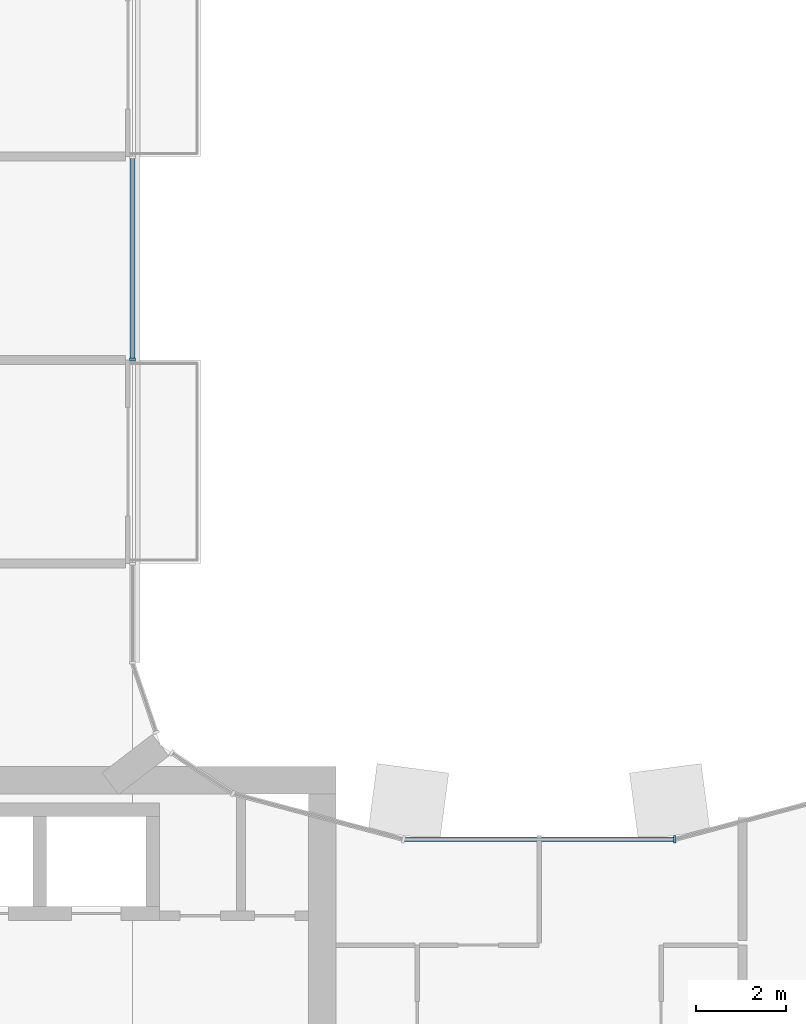
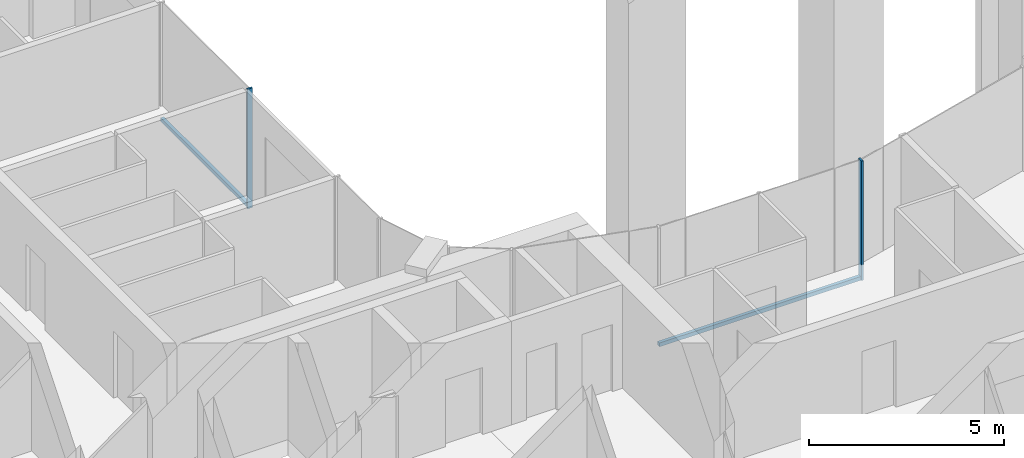
# One storey, part 5 of 18: 4 members, 2 elements without a shape of their own.
"""IFC4 building model written with IfcOpenShell, lengths in metres."""

from ifc_helpers import new_model, si_unit, direction, frame, origin, origin_2d, place, context, subcontext, project, spatial, rectangle, extrude, material, layer, layer_set, material_profile, profile_set, type_object, element, aggregate, save


model = new_model("IFC4")

# Units and contexts
model_context = context("Model", 3, precision=1e-05, world=origin(), true_north=direction((0.0, 1.0)))
body_context = subcontext(model_context, "Body", "Model", "MODEL_VIEW")
ifc_project = project(units=[si_unit("LENGTHUNIT", "METRE"), si_unit("AREAUNIT", "SQUARE_METRE"), si_unit("VOLUMEUNIT", "CUBIC_METRE"), si_unit("PLANEANGLEUNIT", "RADIAN"), si_unit("MASSUNIT", "GRAM", prefix="KILO")], contexts=[model_context])

# Site, building, storey
site_placement = place(None, origin())
site = spatial("IfcSite", under=ifc_project, at=site_placement, CompositionType="ELEMENT")
building_placement = place(site_placement, origin())
building = spatial("IfcBuilding", under=site, at=building_placement, Name="Plateau Cross Towers", CompositionType="ELEMENT")
storey_placement = place(building_placement, frame((0.0, 0.0, 139.39990234375)))
storey = spatial("IfcBuildingStorey", under=building, at=storey_placement, Name="L35", CompositionType="ELEMENT", Elevation=139.39990234375)

# Curtain wall, member
ifc_material_1 = material(Name="Dark low-iron glass", Category="glass")
ifc_layer_1 = layer(ifc_material_1, 0.239990234375)
ifc_layer_set_1 = layer_set([ifc_layer_1], Name="Dark low-iron glass")
curtain_wall_type_1 = type_object("IfcCurtainWallType", Name="Curtain wall flush unitised CW-B", PredefinedType="NOTDEFINED", material=ifc_layer_set_1)
curtain_wall_1_placement = place(storey_placement, origin())
curtain_wall_1 = element("IfcCurtainWall", 1, at=curtain_wall_1_placement, inside=storey, type_object=curtain_wall_type_1, Name="ENV/A/L35/A180_270", PredefinedType="NOTDEFINED")
ifc_material_2 = material(Name="Black anodised aluminium", Category="aluminium")
ifc_material_profile_1 = material_profile(ifc_material_2, rectangle(XDim=0.06005859375, YDim=0.139892578125, at=origin_2d()), Name="MULLION 60x140")
ifc_profile_set_1 = profile_set([ifc_material_profile_1], Name="Black anodised aluminium")
member_type_1 = type_object("IfcMemberType", Name="Mullion 60x140 flush unitised", PredefinedType="MULLION", material=ifc_profile_set_1)
member_1_placement = place(storey_placement, frame((18.0, 27.010009765625, -0.5), z_axis=(0.0, 0.0, 1.0), x_axis=(0.0, 1.0, 0.0)))
member_1 = element("IfcMember", 2, at=member_1_placement, type_object=member_type_1, Name="CW-B mullion 1", PredefinedType="MULLION", context=body_context, shape_type="SweptSolid", body=[
    extrude(rectangle(XDim=0.06005859375, YDim=0.139892578125, at=origin_2d()), origin(), (0.0, 0.0, 1.0), 3.75),
])

ifc_layer_2 = layer(ifc_material_1, 0.260009765625)
ifc_layer_set_2 = layer_set([ifc_layer_2], Name="Dark low-iron glass")
curtain_wall_type_2 = type_object("IfcCurtainWallType", Name="Curtain wall fluted unitised CW-A", PredefinedType="NOTDEFINED", material=ifc_layer_set_2)
curtain_wall_2_placement = place(storey_placement, origin())
curtain_wall_2 = element("IfcCurtainWall", 3, at=curtain_wall_2_placement, inside=storey, type_object=curtain_wall_type_2, Name="ENV/A/L35/A300_164", PredefinedType="NOTDEFINED")
ifc_material_profile_2 = material_profile(ifc_material_2, rectangle(XDim=0.06005859375, YDim=0.159912109375, at=origin_2d()), Name="MULLION 60x160")
ifc_profile_set_2 = profile_set([ifc_material_profile_2], Name="Black anodised aluminium")
member_type_2 = type_object("IfcMemberType", Name="Mullion 60x160 fluted unitised", PredefinedType="MULLION", material=ifc_profile_set_2)
member_2_placement = place(storey_placement, frame((30.0, 16.39306640625, -0.5), z_axis=(0.0, 0.0, 1.0), x_axis=(-1.0, 0.0, 0.0)))
member_2 = element("IfcMember", 4, at=member_2_placement, type_object=member_type_2, Name="CW-A mullion 1", PredefinedType="MULLION", context=body_context, shape_type="SweptSolid", body=[
    extrude(rectangle(XDim=0.06005859375, YDim=0.159912109375, at=origin_2d()), origin(), (0.0, 0.0, 1.0), 3.75),
])

# Member
ifc_material_profile_3 = material_profile(ifc_material_2, rectangle(XDim=0.10009765625, YDim=0.1201171875, at=origin_2d()), Name="TRANSOM 100x120")
ifc_profile_set_3 = profile_set([ifc_material_profile_3], Name="Black anodised aluminium")
member_type_3 = type_object("IfcMemberType", Name="Transom 100x120 flush unitised", PredefinedType="USERDEFINED", material=ifc_profile_set_3)
member_3_placement = place(storey_placement, frame((18.0, 27.010009765625, -0.43994140625), z_axis=(0.0, 1.0, 0.0), x_axis=(-1.0, 0.0, 0.0)))
member_3 = element("IfcMember", 5, at=member_3_placement, type_object=member_type_3, Name="CW-B transom", ObjectType="TRANSOM", PredefinedType="USERDEFINED", context=body_context, shape_type="SweptSolid", body=[
    extrude(rectangle(XDim=0.10009765625, YDim=0.1201171875, at=origin_2d()), origin(), (0.0, 0.0, 1.0), 4.47998046875),
])

aggregate(curtain_wall_1, [member_1, member_3])

ifc_material_profile_4 = material_profile(ifc_material_2, rectangle(XDim=0.10009765625, YDim=0.1201171875, at=origin_2d()), Name="TRANSOM 100x120")
ifc_profile_set_4 = profile_set([ifc_material_profile_4], Name="Black anodised aluminium")
member_type_4 = type_object("IfcMemberType", Name="Transom 100x120 fluted unitised", PredefinedType="USERDEFINED", material=ifc_profile_set_4)
member_4_placement = place(storey_placement, frame((30.0, 16.39306640625, -0.43994140625), z_axis=(-1.0, 0.0, 0.0), x_axis=(0.0, -1.0, 0.0)))
member_4 = element("IfcMember", 6, at=member_4_placement, type_object=member_type_4, Name="CW-A transom", ObjectType="TRANSOM", PredefinedType="USERDEFINED", context=body_context, shape_type="SweptSolid", body=[
    extrude(rectangle(XDim=0.10009765625, YDim=0.1201171875, at=origin_2d()), origin(), (0.0, 0.0, 1.0), 6.0),
])

aggregate(curtain_wall_2, [member_2, member_4])

save(model, "model.ifc")
